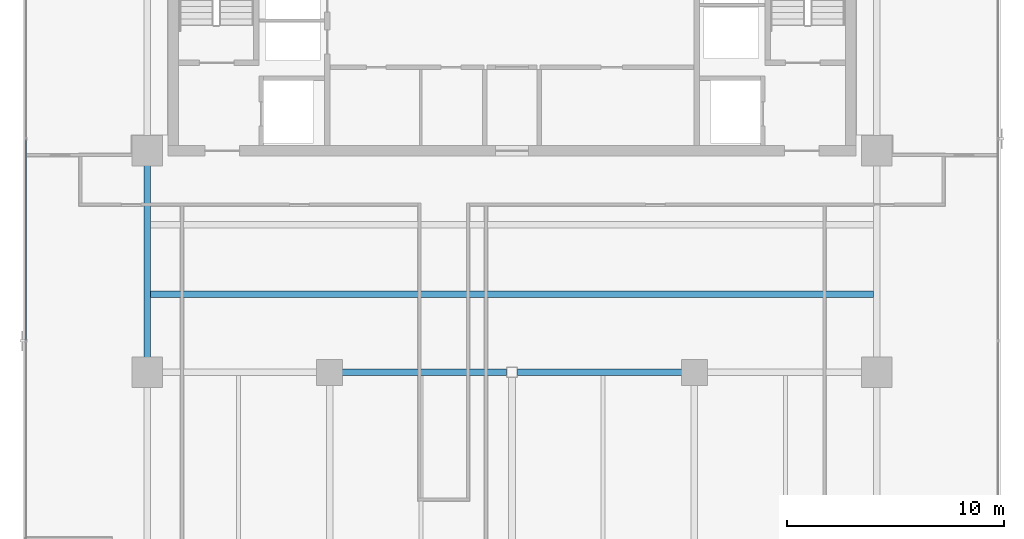
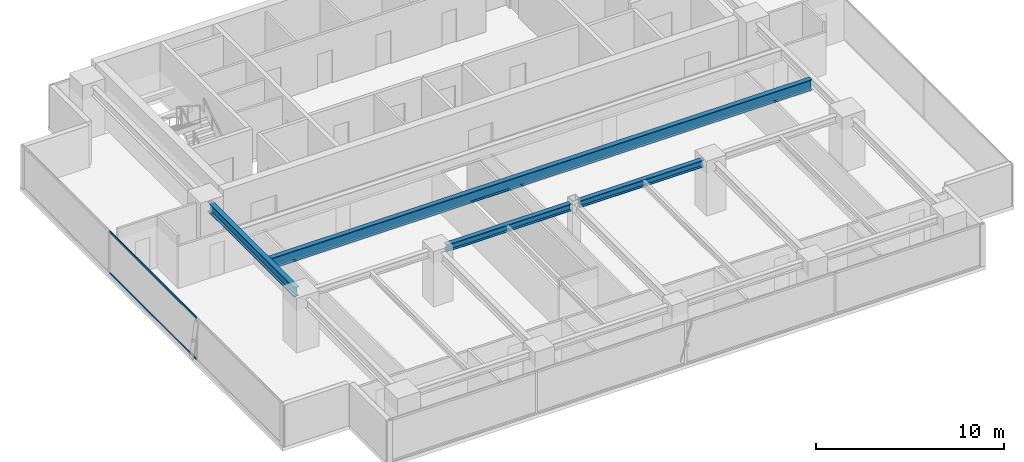
# One storey, part 8 of 25: 4 beams, 2 members, 1 element without a shape of its own.
"""IFC4 building model written with IfcOpenShell, lengths in metres."""

from ifc_helpers import new_model, si_unit, direction, frame, origin, origin_2d, place, context, subcontext, project, spatial, hollow_rectangle, i_section, extrude, source, transform, mapped, material, layer, layer_set, material_profile, profile_set, type_object, element, aggregate, save


model = new_model("IFC4")

# Units and contexts
model_context = context("Model", 3, precision=1e-05, world=origin(), true_north=direction((0.0, 1.0)))
body_context = subcontext(model_context, "Body", "Model", "MODEL_VIEW")
ifc_project = project(units=[si_unit("LENGTHUNIT", "METRE"), si_unit("AREAUNIT", "SQUARE_METRE"), si_unit("VOLUMEUNIT", "CUBIC_METRE"), si_unit("PLANEANGLEUNIT", "RADIAN"), si_unit("MASSUNIT", "GRAM", prefix="KILO")], contexts=[model_context])

# Site, building, storey
site_placement = place(None, origin())
site = spatial("IfcSite", under=ifc_project, at=site_placement, CompositionType="ELEMENT")
building_placement = place(site_placement, origin())
building = spatial("IfcBuilding", under=site, at=building_placement, Name="Sumidabori Civic Tower", CompositionType="ELEMENT")
storey_placement = place(building_placement, frame((0.0, 0.0, 232.39990234375)))
storey = spatial("IfcBuildingStorey", under=building, at=storey_placement, Name="L60", CompositionType="ELEMENT", Elevation=232.39990234375)

# Beams
ifc_material_1 = material(Name="Steel SN490", Category="steel")
ifc_material_profile_1 = material_profile(ifc_material_1, i_section(OverallWidth=0.300048828125, OverallDepth=0.60009765625, WebThickness=0.015380859375, FlangeThickness=0.030029296875, at=origin_2d()), Name="HE 600 B")
ifc_profile_set_1 = profile_set([ifc_material_profile_1], Name="Steel SN490")
beam_type_1 = type_object("IfcBeamType", Name="BM-GIRD-600", PredefinedType="BEAM", material=ifc_profile_set_1)
shared_shape_1 = source(origin(), body_context, "Body", "SweptSolid", [
    extrude(i_section(OverallWidth=0.300048828125, OverallDepth=0.60009765625, WebThickness=0.015380859375, FlangeThickness=0.030029296875, at=origin_2d()), origin(), (0.0, 0.0, 1.0), 9.239990234375),
])
beam_1_placement = place(storey_placement, frame((-16.800048828125, 0.47998046875, 3.070068359375), z_axis=(0.0, 1.0, 0.0), x_axis=(-1.0, 0.0, 0.0)))
element("IfcBeam", 1, at=beam_1_placement, inside=storey, type_object=beam_type_1, Name="Primary Girder L60 GY-10", PredefinedType="BEAM", context=body_context, shape_type="MappedRepresentation", body=[
    mapped(shared_shape_1, transform((0.0, 0.0, 0.0), x_axis=(1.0, 0.0, 0.0), y_axis=(0.0, 1.0, 0.0), z_axis=(0.0, 0.0, 1.0), scale=1.0)),
])
ifc_material_profile_2 = material_profile(ifc_material_1, i_section(OverallWidth=0.300048828125, OverallDepth=0.699951171875, WebThickness=0.01708984375, FlangeThickness=0.031982421875, at=origin_2d()), Name="HE 700 B")
ifc_profile_set_2 = profile_set([ifc_material_profile_2], Name="Steel SN490")
beam_type_2 = type_object("IfcBeamType", Name="BM-GIRD-700", PredefinedType="BEAM", material=ifc_profile_set_2)
shared_shape_2 = source(origin(), body_context, "Body", "SweptSolid", [
    extrude(i_section(OverallWidth=0.300048828125, OverallDepth=0.699951171875, WebThickness=0.01708984375, FlangeThickness=0.031982421875, at=origin_2d()), origin(), (0.0, 0.0, 1.0), 33.2998046875),
])
beam_2_placement = place(storey_placement, frame((-16.64990234375, 3.60009765625, 3.02001953125), z_axis=(1.0, 0.0, 0.0), x_axis=(0.0, 1.0, 0.0)))
element("IfcBeam", 2, at=beam_2_placement, inside=storey, type_object=beam_type_2, Name="North Bay Floor Beam L60 JSTN-18", PredefinedType="BEAM", context=body_context, shape_type="MappedRepresentation", body=[
    mapped(shared_shape_2, transform((0.0, 0.0, 0.0), x_axis=(1.0, 0.0, 0.0), y_axis=(0.0, 1.0, 0.0), z_axis=(0.0, 0.0, 1.0), scale=1.0)),
])
ifc_material_profile_3 = material_profile(ifc_material_1, i_section(OverallWidth=0.300048828125, OverallDepth=0.449951171875, WebThickness=0.013916015625, FlangeThickness=0.02587890625, at=origin_2d()), Name="HE 450 B")
ifc_profile_set_3 = profile_set([ifc_material_profile_3], Name="Steel SN490")
beam_type_3 = type_object("IfcBeamType", Name="BM-GIRD-450", PredefinedType="BEAM", material=ifc_profile_set_3)
shared_shape_3 = source(origin(), body_context, "Body", "SweptSolid", [
    extrude(i_section(OverallWidth=0.300048828125, OverallDepth=0.449951171875, WebThickness=0.013916015625, FlangeThickness=0.02587890625, at=origin_2d()), origin(), (0.0, 0.0, 1.0), 7.669921875),
])
for number, where, z_axis, x_axis, name in (
    (3, (-7.919921875, 0.0, 3.14501953125), (1.0, 0.0, 0.0), (0.0, 1.0, 0.0), "Primary Girder L60 GX-06"),
    (4, (0.25, 0.0, 3.14501953125), (1.0, 0.0, 0.0), (0.0, 1.0, 0.0), "Primary Girder L60 GX-07"),
):
    element("IfcBeam", number, at=place(storey_placement, frame(where, z_axis=z_axis, x_axis=x_axis)), inside=storey, type_object=beam_type_3, Name=name, PredefinedType="BEAM", context=body_context, shape_type="MappedRepresentation", body=[
        mapped(shared_shape_3, transform((0.0, 0.0, 0.0), x_axis=(1.0, 0.0, 0.0), y_axis=(0.0, 1.0, 0.0), z_axis=(0.0, 0.0, 1.0), scale=1.0)),
    ])

# Curtain wall, members
ifc_material_2 = material(Name="Anodised Bronze Aluminium AW-6063-T6", Category="aluminium")
ifc_layer = layer(ifc_material_2, 0.179931640625, Name="Anodised Bronze Aluminium AW-6063-T6")
ifc_layer_set = layer_set([ifc_layer], Name="Anodised Bronze Aluminium AW-6063-T6")
curtain_wall_type = type_object("IfcCurtainWallType", Name="CW-SYS-5", PredefinedType="NOTDEFINED", material=ifc_layer_set)
curtain_wall_placement = place(storey_placement, origin())
curtain_wall = element("IfcCurtainWall", 5, at=curtain_wall_placement, inside=storey, type_object=curtain_wall_type, Name="Curtain Wall CW:L60:R10", PredefinedType="NOTDEFINED")
ifc_material_profile_4 = material_profile(ifc_material_2, hollow_rectangle(XDim=0.06005859375, YDim=0.1298828125, WallThickness=0.0048828125, at=origin_2d()), Name="ALU TRANSOM 130x60")
ifc_profile_set_4 = profile_set([ifc_material_profile_4], Name="Anodised Bronze Aluminium AW-6063-T6")
member_type = type_object("IfcMemberType", Name="CW-TRN-130", PredefinedType="USERDEFINED", material=ifc_profile_set_4)
shared_shape_4 = source(origin(), body_context, "Body", "SweptSolid", [
    extrude(hollow_rectangle(XDim=0.06005859375, YDim=0.1298828125, WallThickness=0.0048828125, at=origin_2d()), origin(), (0.0, 0.0, 1.0), 9.253173828125),
])
member_1_placement = place(storey_placement, frame((-22.3798828125, 10.7265625, 0.030029296875), z_axis=(0.0, -1.0, 0.0), x_axis=(1.0, 0.0, 0.0)))
member_1 = element("IfcMember", 6, at=member_1_placement, type_object=member_type, Name="CW-5 transom 2.1", ObjectType="TRANSOM", PredefinedType="USERDEFINED", context=body_context, shape_type="MappedRepresentation", body=[
    mapped(shared_shape_4, transform((0.0, 0.0, 0.0), x_axis=(1.0, 0.0, 0.0), y_axis=(0.0, 1.0, 0.0), z_axis=(0.0, 0.0, 1.0), scale=1.0)),
])
member_2_placement = place(storey_placement, frame((-22.3798828125, 10.7265625, 2.72021484375), z_axis=(0.0, -1.0, 0.0), x_axis=(1.0, 0.0, 0.0)))
member_2 = element("IfcMember", 7, at=member_2_placement, type_object=member_type, Name="CW-5 transom 2.2", ObjectType="TRANSOM", PredefinedType="USERDEFINED", context=body_context, shape_type="MappedRepresentation", body=[
    mapped(shared_shape_4, transform((0.0, 0.0, 0.0), x_axis=(1.0, 0.0, 0.0), y_axis=(0.0, 1.0, 0.0), z_axis=(0.0, 0.0, 1.0), scale=1.0)),
])
aggregate(curtain_wall, [member_1, member_2])

save(model, "model.ifc")
